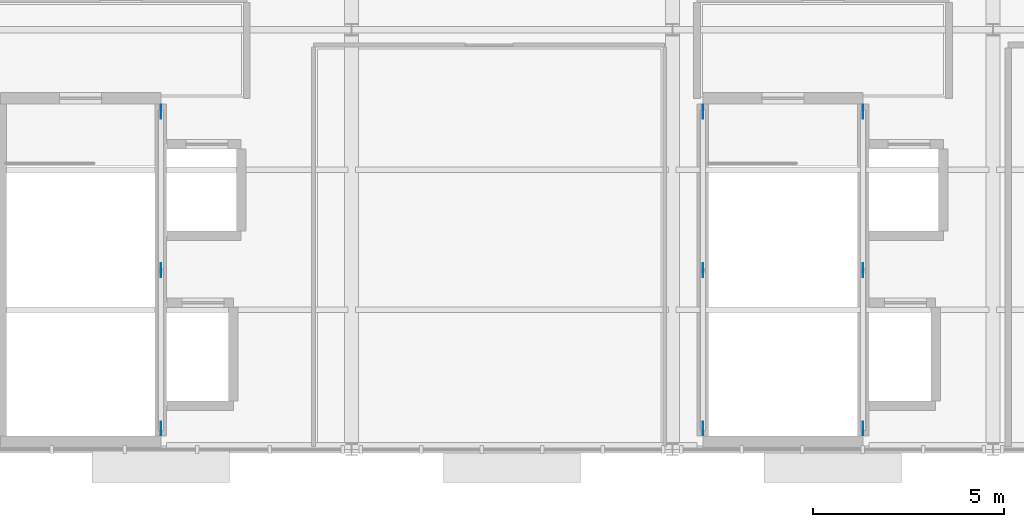
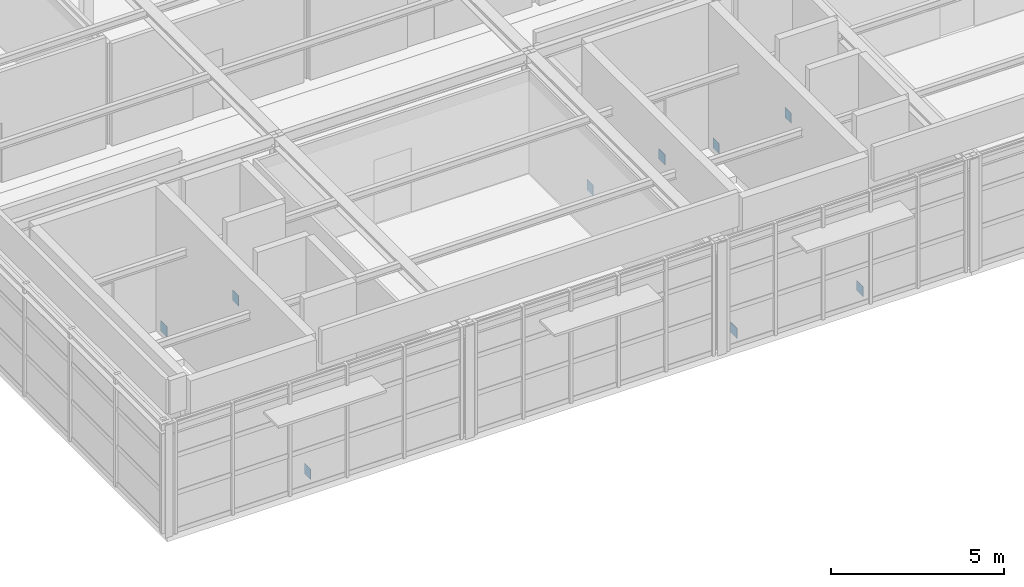
# One storey, part 14 of 18: 9 plates.
"""IFC4 building model written with IfcOpenShell, lengths in metres."""

import ifcopenshell
import ifcopenshell.guid

model = None  # the IFC model being written
_history = None  # IfcOwnerHistory: only IFC2X3 demands one
_inside = {}  # id of a spatial element -> (the spatial element, [elements in it])
_under = {}  # id of a project, library or spatial element -> (it, [spatial elements below it])
_declared = {}  # id of a project -> (the project, [libraries it declares])
_typed = {}  # id of a type object -> (the type object, [elements of that type])
_made_of = {}  # id of a material, layer set ... -> (it, [elements and type objects made of it])


def new_model(schema):
    """Start an empty IFC model of exactly this schema.

    Asked for "IFC4X3", IfcOpenShell would pick the latest addendum, in which some entities
    have other attributes; the version numbers below select the first issue.
    IFC2X3 requires an IfcOwnerHistory on every rooted entity: one is made here for all.
    """
    global model, _history
    if schema == "IFC4X3":
        model = ifcopenshell.file(schema_version=(4, 3, 0, 0))
    else:
        model = ifcopenshell.file(schema=schema)
    _inside.clear()
    _under.clear()
    _declared.clear()
    _typed.clear()
    _made_of.clear()
    _history = None
    if model.schema == "IFC2X3":
        org = make("IfcOrganization", Name="unknown")
        user = make(
            "IfcPersonAndOrganization",
            ThePerson=make("IfcPerson", FamilyName="unknown"),
            TheOrganization=org,
        )
        app = make(
            "IfcApplication",
            ApplicationDeveloper=org,
            Version="unknown",
            ApplicationFullName="unknown",
            ApplicationIdentifier="unknown",
        )
        _history = make(
            "IfcOwnerHistory",
            OwningUser=user,
            OwningApplication=app,
            ChangeAction="ADDED",
            CreationDate=0,
        )
    return model


def make(cls, **values):
    """One entity of the class cls with the attributes given. An attribute that is None is left unset."""
    return model.create_entity(
        cls, **{name: value for name, value in values.items() if value is not None}
    )


def rooted(cls, **values):
    """An entity with a GlobalId (a new one), such as an element, a storey or a relation."""
    return make(cls, GlobalId=ifcopenshell.guid.new(), OwnerHistory=_history, **values)


def si_unit(unit_type, name, prefix=None):
    """IfcSIUnit, for example si_unit("LENGTHUNIT", "METRE", prefix="MILLI")."""
    return make("IfcSIUnit", UnitType=unit_type, Prefix=prefix, Name=name)


def assignment(units):
    """IfcUnitAssignment: the units of a project."""
    return None if units is None else make("IfcUnitAssignment", Units=units)


def point(xyz):
    """IfcCartesianPoint."""
    return None if xyz is None else make("IfcCartesianPoint", Coordinates=xyz)


def direction(xyz):
    """IfcDirection."""
    return None if xyz is None else make("IfcDirection", DirectionRatios=xyz)


def frame(location, z_axis=None, x_axis=None):
    """IfcAxis2Placement3D, a coordinate frame: its origin and axes. An axis left out is left unset."""
    return make(
        "IfcAxis2Placement3D",
        Location=point(location),
        Axis=direction(z_axis),
        RefDirection=direction(x_axis),
    )


def frame_2d(location, x_axis=None):
    """IfcAxis2Placement2D, a coordinate frame in the plane: its origin and x axis."""
    return make(
        "IfcAxis2Placement2D", Location=point(location), RefDirection=direction(x_axis)
    )


def origin():
    """The frame at (0, 0, 0) with its axes left unset."""
    return frame((0.0, 0.0, 0.0))


def origin_2d():
    """The frame at (0, 0) in the plane with its x axis left unset."""
    return frame_2d((0.0, 0.0))


def place(relative_to, where):
    """IfcLocalPlacement: puts the frame where relative to a parent placement (None: the world)."""
    return make(
        "IfcLocalPlacement", PlacementRelTo=relative_to, RelativePlacement=where
    )


def context(
    kind, dimensions, precision=None, world=None, true_north=None, identifier=None
):
    """IfcGeometricRepresentationContext, for example the 3D "Model" context."""
    return make(
        "IfcGeometricRepresentationContext",
        ContextIdentifier=identifier,
        ContextType=kind,
        CoordinateSpaceDimension=dimensions,
        Precision=precision,
        WorldCoordinateSystem=world,
        TrueNorth=true_north,
    )


def subcontext(parent, identifier, kind, view, scale=None):
    """IfcGeometricRepresentationSubContext, for example "Body" below "Model"."""
    return make(
        "IfcGeometricRepresentationSubContext",
        ContextIdentifier=identifier,
        ContextType=kind,
        ParentContext=parent,
        TargetScale=scale,
        TargetView=view,
    )


def project(units=None, contexts=None):
    """IfcProject with its units and contexts."""
    return rooted(
        "IfcProject",
        Name="project",
        RepresentationContexts=contexts,
        UnitsInContext=assignment(units),
    )


def spatial(cls, under=None, at=None, **own):
    """A site, building, storey or space (cls), placed at a placement, below another one or the project."""
    s = rooted(cls, ObjectPlacement=at, **own)
    if under is not None:
        _under.setdefault(under.id(), (under, []))[1].append(s)
    return s


def profile(cls, at=None, kind="AREA", **sizes):
    """A parametric profile (cls). Its sizes go by their IFC names, for example OverallWidth=200.0."""
    return make(cls, ProfileType=kind, Position=at, **sizes)


def rectangle(**sizes):
    """IfcRectangleProfileDef."""
    return profile("IfcRectangleProfileDef", **sizes)


def extrude(swept, where, along, depth):
    """IfcExtrudedAreaSolid: the profile swept, set in the frame where, extruded along a direction by depth."""
    return make(
        "IfcExtrudedAreaSolid",
        SweptArea=swept,
        Position=where,
        ExtrudedDirection=direction(along),
        Depth=depth,
    )


def shape(context_of_items, identifier, shape_type, items):
    """IfcShapeRepresentation: the items that make up one representation, for example the "Body"."""
    return make(
        "IfcShapeRepresentation",
        ContextOfItems=context_of_items,
        RepresentationIdentifier=identifier,
        RepresentationType=shape_type,
        Items=items,
    )


def material(Name=None, Category=None):
    """IfcMaterial."""
    return make("IfcMaterial", Name=Name, Category=Category)


def layer(
    of_material, thickness, ventilated=None, Name=None, Category=None, Priority=None
):
    """IfcMaterialLayer: one layer of a wall or slab, of a material (None: an air gap)."""
    return make(
        "IfcMaterialLayer",
        Material=of_material,
        LayerThickness=thickness,
        IsVentilated=ventilated,
        Name=Name,
        Category=Category,
        Priority=Priority,
    )


def layer_set(layers, Name=None):
    """IfcMaterialLayerSet."""
    return make("IfcMaterialLayerSet", MaterialLayers=layers, LayerSetName=Name)


def made_of(thing, what):
    """Note that an element or type object is made of a material, layer set ...; save() writes the relation."""
    if what is not None:
        _made_of.setdefault(what.id(), (what, []))[1].append(thing)
    return thing


def type_object(cls, material=None, **own):
    """A type object (cls), such as IfcWallType, which elements share."""
    return made_of(rooted(cls, **own), material)


def element(
    cls,
    number,
    at=None,
    inside=None,
    cuts=None,
    type_object=None,
    material=None,
    context=None,
    identifier="Body",
    shape_type=None,
    held_by="IfcProductDefinitionShape",
    body=None,
    shapes=None,
    **own,
):
    """One element of the class cls, such as IfcWall. Its Tag is "e" and its number.

    at: its placement. inside: the storey or other place that contains it. cuts: it is an
    opening in that element (IfcRelVoidsElement). A single representation is given by context,
    identifier, shape_type and body (its items); several are given by shapes. held_by: the class
    of the entity that holds the representations. save() writes the other relations.
    """
    e = rooted(cls, Tag="e%d" % number, ObjectPlacement=at, **own)
    if body is not None:
        shapes = [shape(context, identifier, shape_type, body)]
    if shapes is not None:
        e.Representation = make(held_by, Representations=shapes)
    if inside is not None:
        _inside.setdefault(inside.id(), (inside, []))[1].append(e)
    if cuts is not None:
        rooted(
            "IfcRelVoidsElement", RelatingBuildingElement=cuts, RelatedOpeningElement=e
        )
    if type_object is not None:
        _typed.setdefault(type_object.id(), (type_object, []))[1].append(e)
    return made_of(e, material)


def aggregate(whole, parts):
    """IfcRelAggregates: a whole, such as a stair, and the parts it consists of."""
    return rooted("IfcRelAggregates", RelatingObject=whole, RelatedObjects=parts)


def save(model, path):
    """Write the relations noted so far, then the file.

    IfcRelAggregates (storeys below a building ...), IfcRelContainedInSpatialStructure (elements
    in a storey), IfcRelDefinesByType, IfcRelAssociatesMaterial and IfcRelDeclares: one each for
    every whole, place, type object, material and project.
    """
    for whole, parts in _under.values():
        aggregate(whole, parts)
    for where, things in _inside.values():
        rooted(
            "IfcRelContainedInSpatialStructure",
            RelatedElements=things,
            RelatingStructure=where,
        )
    for kind, things in _typed.values():
        rooted("IfcRelDefinesByType", RelatedObjects=things, RelatingType=kind)
    for what, things in _made_of.values():
        rooted("IfcRelAssociatesMaterial", RelatedObjects=things, RelatingMaterial=what)
    for by, libraries in _declared.values():
        rooted("IfcRelDeclares", RelatingContext=by, RelatedDefinitions=libraries)
    model.write(path)


model = new_model("IFC4")

# Units and contexts
model_context = context("Model", 3, precision=1e-05, world=origin(), true_north=direction((0.0, 1.0)))
body_context = subcontext(model_context, "Body", "Model", "MODEL_VIEW")
ifc_project = project(units=[si_unit("LENGTHUNIT", "METRE"), si_unit("AREAUNIT", "SQUARE_METRE"), si_unit("VOLUMEUNIT", "CUBIC_METRE"), si_unit("PLANEANGLEUNIT", "RADIAN"), si_unit("MASSUNIT", "GRAM", prefix="KILO")], contexts=[model_context])

# Site, building, storey
site_placement = place(None, origin())
site = spatial("IfcSite", under=ifc_project, at=site_placement, CompositionType="ELEMENT")
building_placement = place(site_placement, origin())
building = spatial("IfcBuilding", under=site, at=building_placement, Name="Sitalva Quay Ferry Terminal", CompositionType="ELEMENT")
storey_placement = place(building_placement, frame((0.0, 0.0, 18.60009765625)))
storey = spatial("IfcBuildingStorey", under=building, at=storey_placement, Name="L05", CompositionType="ELEMENT", Elevation=18.60009765625)

# Plates
ifc_material = material(Name="Structural Steel S355JR", Category="steel")
ifc_layer = layer(ifc_material, 0.01611328125)
ifc_layer_set = layer_set([ifc_layer], Name="Structural Steel S355JR")
plate_type = type_object("IfcPlateType", Name="Gusset_360x360x16", PredefinedType="USERDEFINED", material=ifc_layer_set)
for number, where, z_axis, x_axis, name in (
    (1, (79.0, 82.699951171875, 3.56005859375), (0.0, 0.0, 1.0), (1.0, 0.0, 0.0), "Braced frame BF2 L05 APEX gusset"),
    (2, (79.0, 78.550048828125, -0.0302734375), (0.0, 0.0, 1.0), (1.0, 0.0, 0.0), "Braced frame BF2 L05 BASE-A gusset"),
    (3, (79.0, 86.85009765625, -0.0302734375), (0.0, 0.0, 1.0), (1.0, 0.0, 0.0), "Braced frame BF2 L05 BASE-B gusset"),
    (4, (97.39990234375, 82.699951171875, 3.56005859375), (0.0, 0.0, 1.0), (1.0, 0.0, 0.0), "Braced frame BF3 L05 APEX gusset"),
    (5, (97.39990234375, 78.550048828125, -0.0302734375), (0.0, 0.0, 1.0), (1.0, 0.0, 0.0), "Braced frame BF3 L05 BASE-A gusset"),
    (6, (97.39990234375, 86.85009765625, -0.0302734375), (0.0, 0.0, 1.0), (1.0, 0.0, 0.0), "Braced frame BF3 L05 BASE-B gusset"),
    (7, (93.199951171875, 82.699951171875, 3.56005859375), (0.0, 0.0, 1.0), (1.0, 0.0, 0.0), "Braced frame BF6 L05 APEX gusset"),
    (8, (93.199951171875, 78.550048828125, -0.0302734375), (0.0, 0.0, 1.0), (1.0, 0.0, 0.0), "Braced frame BF6 L05 BASE-A gusset"),
    (9, (93.199951171875, 86.85009765625, -0.0302734375), (0.0, 0.0, 1.0), (1.0, 0.0, 0.0), "Braced frame BF6 L05 BASE-B gusset"),
):
    element("IfcPlate", number, at=place(storey_placement, frame(where, z_axis=z_axis, x_axis=x_axis)), inside=storey, type_object=plate_type, Name=name, ObjectType="FLANGE_PLATE", PredefinedType="USERDEFINED", context=body_context, shape_type="SweptSolid", body=[
        extrude(rectangle(XDim=0.01611328125, YDim=0.360107421875, at=origin_2d()), origin(), (0.0, 0.0, 1.0), 0.360107421875),
    ])

save(model, "model.ifc")
